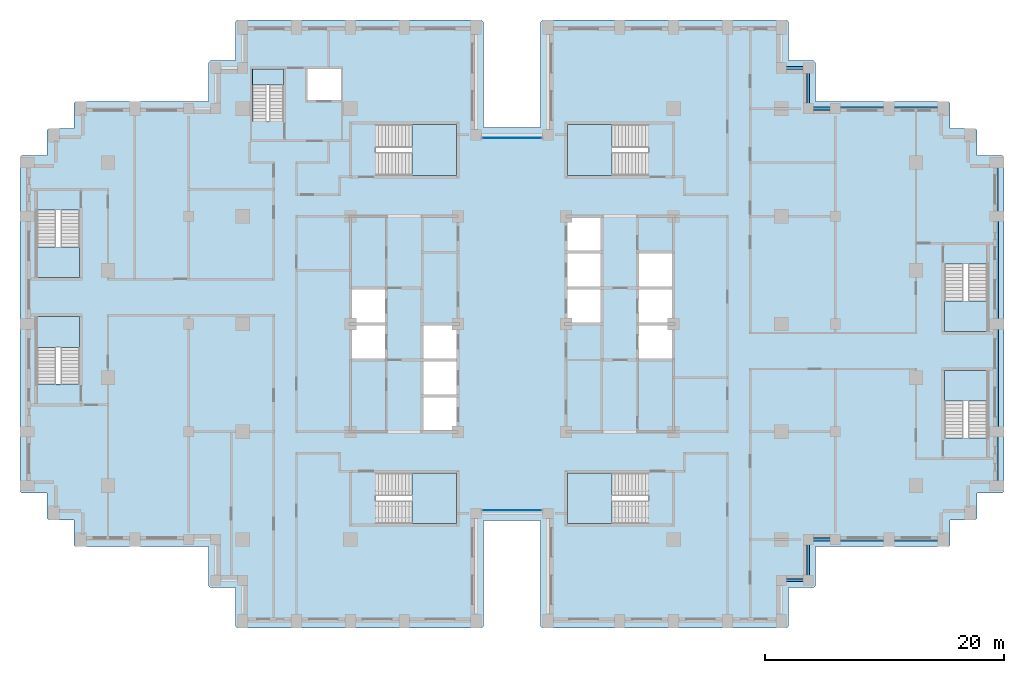
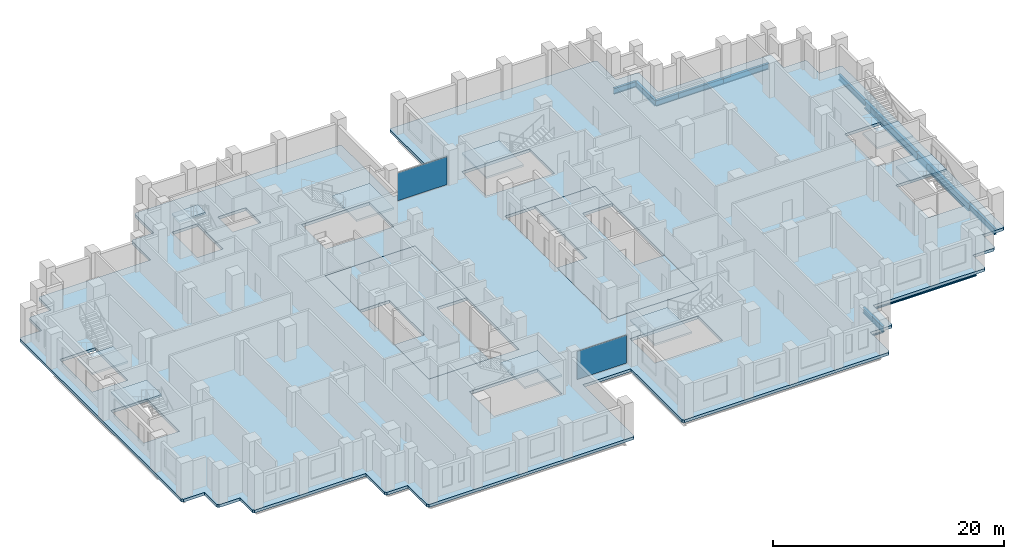
# One storey, part 5 of 15: 14 beams, 12 slabs, 2 plates, 11 elements without a shape of their own.
"""IFC4 building model written with IfcOpenShell, lengths in metres."""

from ifc_helpers import new_model, si_unit, direction, frame, origin, origin_2d, place, context, subcontext, project, spatial, polyline, rectangle, i_section, outline, extrude, material, layer, layer_set, material_profile, profile_set, type_object, element, aggregate, save


model = new_model("IFC4")

# Units and contexts
model_context = context("Model", 3, precision=1e-05, world=origin(), true_north=direction((0.0, 1.0)))
body_context = subcontext(model_context, "Body", "Model", "MODEL_VIEW")
ifc_project = project(units=[si_unit("LENGTHUNIT", "METRE"), si_unit("AREAUNIT", "SQUARE_METRE"), si_unit("VOLUMEUNIT", "CUBIC_METRE"), si_unit("PLANEANGLEUNIT", "RADIAN"), si_unit("MASSUNIT", "GRAM", prefix="KILO")], contexts=[model_context])

# Site, building, storey
site_placement = place(None, origin())
site = spatial("IfcSite", under=ifc_project, at=site_placement, CompositionType="ELEMENT")
building_placement = place(site_placement, origin())
building = spatial("IfcBuilding", under=site, at=building_placement, Name="Corbelhall Arena Tower", CompositionType="ELEMENT")
storey_placement = place(building_placement, frame((0.0, 0.0, 96.0)))
storey = spatial("IfcBuildingStorey", under=building, at=storey_placement, Name="L16", CompositionType="ELEMENT", Elevation=96.0)

# Beams
ifc_material_1 = material(Name="Steel ASTM A992 Gr50", Category="steel")
ifc_material_profile_1 = material_profile(ifc_material_1, i_section(OverallWidth=0.23046875, OverallDepth=0.6171875, WebThickness=0.01318359375, FlangeThickness=0.022216796875, at=origin_2d()))
ifc_profile_set_1 = profile_set([ifc_material_profile_1], Name="Steel ASTM A992 Gr50")
beam_type_1 = type_object("IfcBeamType", Name="ST-SPANDREL-W24x94", PredefinedType="SPANDREL", material=ifc_profile_set_1)
for number, where, z_axis, x_axis, name in (
    (1, (40.5, 13.5, -0.608642578125), (0.0, -1.0, 0.0), (1.0, 0.0, 0.0), "Beam SP 10"),
    (2, (40.5, -9.0, -0.608642578125), (0.0, -1.0, 0.0), (1.0, 0.0, 0.0), "Beam SP 11"),
    (3, (31.5, 18.0, -0.608642578125), (1.0, 0.0, 0.0), (0.0, 1.0, 0.0), "Beam SP 12"),
    (4, (31.5, -18.0, -0.608642578125), (-1.0, 0.0, 0.0), (0.0, -1.0, 0.0), "Beam SP 13"),
    (5, (36.0, -18.0, -0.608642578125), (-1.0, 0.0, 0.0), (0.0, -1.0, 0.0), "Beam SP 14"),
    (6, (27.0, 18.0, -0.608642578125), (1.0, 0.0, 0.0), (0.0, 1.0, 0.0), "Beam SP 15"),
):
    element("IfcBeam", number, at=place(storey_placement, frame(where, z_axis=z_axis, x_axis=x_axis)), inside=storey, type_object=beam_type_1, Name=name, PredefinedType="SPANDREL", context=body_context, shape_type="SweptSolid", body=[
        extrude(i_section(OverallWidth=0.23046875, OverallDepth=0.6171875, WebThickness=0.01318359375, FlangeThickness=0.022216796875, at=origin_2d()), origin(), (0.0, 0.0, 1.0), 4.5),
    ])
for number, where, z_axis, x_axis, name in (
    (7, (27.0, -18.0, -0.608642578125), (-1.0, 0.0, 0.0), (0.0, -1.0, 0.0), "Beam SP 16"),
    (8, (22.5, 21.39990234375, -0.608642578125), (1.0, 0.0, 0.0), (0.0, 1.0, 0.0), "Beam SP 43"),
):
    element("IfcBeam", number, at=place(storey_placement, frame(where, z_axis=z_axis, x_axis=x_axis)), inside=storey, type_object=beam_type_1, Name=name, PredefinedType="SPANDREL", context=body_context, shape_type="SweptSolid", body=[
        extrude(i_section(OverallWidth=0.23046875, OverallDepth=0.6171875, WebThickness=0.01318359375, FlangeThickness=0.022216796875, at=origin_2d()), origin(), (0.0, 0.0, 1.0), 2.25),
    ])
beam_1_placement = place(storey_placement, frame((24.75, 21.39990234375, -0.608642578125), z_axis=(0.0, -1.0, 0.0), x_axis=(1.0, 0.0, 0.0)))
element("IfcBeam", 9, at=beam_1_placement, inside=storey, type_object=beam_type_1, Name="Beam SP 44", PredefinedType="SPANDREL", context=body_context, shape_type="SweptSolid", body=[
    extrude(i_section(OverallWidth=0.23046875, OverallDepth=0.6171875, WebThickness=0.01318359375, FlangeThickness=0.022216796875, at=origin_2d()), origin(), (0.0, 0.0, 1.0), 3.39990234375),
])
for number, where, z_axis, x_axis, name in (
    (10, (24.75, 18.0, -0.608642578125), (1.0, 0.0, 0.0), (0.0, 1.0, 0.0), "Beam SP 45"),
    (11, (24.75, -21.39990234375, -0.608642578125), (-1.0, 0.0, 0.0), (0.0, -1.0, 0.0), "Beam SP 50"),
):
    element("IfcBeam", number, at=place(storey_placement, frame(where, z_axis=z_axis, x_axis=x_axis)), inside=storey, type_object=beam_type_1, Name=name, PredefinedType="SPANDREL", context=body_context, shape_type="SweptSolid", body=[
        extrude(i_section(OverallWidth=0.23046875, OverallDepth=0.6171875, WebThickness=0.01318359375, FlangeThickness=0.022216796875, at=origin_2d()), origin(), (0.0, 0.0, 1.0), 2.25),
    ])
beam_2_placement = place(storey_placement, frame((24.75, -18.0, -0.608642578125), z_axis=(0.0, -1.0, 0.0), x_axis=(1.0, 0.0, 0.0)))
element("IfcBeam", 12, at=beam_2_placement, inside=storey, type_object=beam_type_1, Name="Beam SP 51", PredefinedType="SPANDREL", context=body_context, shape_type="SweptSolid", body=[
    extrude(i_section(OverallWidth=0.23046875, OverallDepth=0.6171875, WebThickness=0.01318359375, FlangeThickness=0.022216796875, at=origin_2d()), origin(), (0.0, 0.0, 1.0), 3.39990234375),
])
ifc_material_profile_2 = material_profile(ifc_material_1, i_section(OverallWidth=0.2919921875, OverallDepth=0.845703125, WebThickness=0.015380859375, FlangeThickness=0.0244140625, at=origin_2d()))
ifc_profile_set_2 = profile_set([ifc_material_profile_2], Name="Steel ASTM A992 Gr50")
beam_type_2 = type_object("IfcBeamType", Name="ST-SPANDREL-W33x141", PredefinedType="SPANDREL", material=ifc_profile_set_2)
for number, where, z_axis, x_axis, name in (
    (13, (40.5, 0.0, -0.722900390625), (0.0, -1.0, 0.0), (1.0, 0.0, 0.0), "Beam SP 8"),
    (14, (40.5, 9.0, -0.722900390625), (0.0, -1.0, 0.0), (1.0, 0.0, 0.0), "Beam SP 9"),
):
    element("IfcBeam", number, at=place(storey_placement, frame(where, z_axis=z_axis, x_axis=x_axis)), inside=storey, type_object=beam_type_2, Name=name, PredefinedType="SPANDREL", context=body_context, shape_type="SweptSolid", body=[
        extrude(i_section(OverallWidth=0.2919921875, OverallDepth=0.845703125, WebThickness=0.015380859375, FlangeThickness=0.0244140625, at=origin_2d()), origin(), (0.0, 0.0, 1.0), 9.0),
    ])

# Curtain wall, plate
ifc_material_2 = material(Name="Aluminium black anodised", Category="aluminium")
ifc_layer_1 = layer(ifc_material_2, 0.199951171875)
ifc_layer_set_1 = layer_set([ifc_layer_1], Name="EV-CW1 Slot back wall")
curtain_wall_type = type_object("IfcCurtainWallType", Name="EV-CW1 Slot back wall", PredefinedType="NOTDEFINED", material=ifc_layer_set_1)
curtain_wall_1_placement = place(storey_placement, origin())
curtain_wall_1 = element("IfcCurtainWall", 15, at=curtain_wall_1_placement, inside=storey, type_object=curtain_wall_type, Name="Curtain wall CW1", PredefinedType="NOTDEFINED")
ifc_material_3 = material(Name="Glass dark tinted laminated", Category="glass")
ifc_layer_2 = layer(ifc_material_3, 0.028076171875)
ifc_layer_set_2 = layer_set([ifc_layer_2], Name="EV-CW1-PANEL")
plate_type = type_object("IfcPlateType", Name="EV-CW1-PANEL", PredefinedType="CURTAIN_PANEL", material=ifc_layer_set_2)
plate_1_placement = place(storey_placement, frame((0.0, -15.550048828125, 0.0751953125), z_axis=(0.0, 0.0, 1.0), x_axis=(1.0, 0.0, 0.0)))
plate_1 = element("IfcPlate", 16, at=plate_1_placement, type_object=plate_type, Name="CW1 panel 1.1", PredefinedType="CURTAIN_PANEL", context=body_context, shape_type="SweptSolid", body=[
    extrude(rectangle(XDim=4.949951171875, YDim=0.028076171875, at=origin_2d()), origin(), (0.0, 0.0, 1.0), 2.949951171875),
])
aggregate(curtain_wall_1, [plate_1])

curtain_wall_2_placement = place(storey_placement, origin())
curtain_wall_2 = element("IfcCurtainWall", 17, at=curtain_wall_2_placement, inside=storey, type_object=curtain_wall_type, Name="Curtain wall CW1", PredefinedType="NOTDEFINED")
plate_2_placement = place(storey_placement, frame((0.0, 15.550048828125, 0.0751953125), z_axis=(0.0, 0.0, 1.0), x_axis=(-1.0, 0.0, 0.0)))
plate_2 = element("IfcPlate", 18, at=plate_2_placement, type_object=plate_type, Name="CW1 panel 1.1", PredefinedType="CURTAIN_PANEL", context=body_context, shape_type="SweptSolid", body=[
    extrude(rectangle(XDim=4.949951171875, YDim=0.028076171875, at=origin_2d()), origin(), (0.0, 0.0, 1.0), 2.949951171875),
])
aggregate(curtain_wall_2, [plate_2])

# Slabs
ifc_material_4 = material(Name="Concrete C40/50", Category="concrete")
ifc_layer_3 = layer(ifc_material_4, 0.300048828125)
ifc_layer_set_3 = layer_set([ifc_layer_3], Name="IN-SL-CORE")
slab_type_1 = type_object("IfcSlabType", Name="IN-SL-CORE", PredefinedType="FLOOR", material=ifc_layer_set_3)
slab_1_placement = place(storey_placement, frame((0.0, 0.0, -0.300048828125)))
element("IfcSlab", 19, at=slab_1_placement, inside=storey, type_object=slab_type_1, Name="Core floor W", PredefinedType="FLOOR", context=body_context, shape_type="SweptSolid", body=[
    extrude(outline(polyline([(-7.5, 0.0), (-4.5, 0.0), (-4.5, 9.0), (-13.5, 9.0), (-13.5, 3.0), (-10.5, 3.0), (-10.5, 0.0), (-10.5, -3.0), (-13.5, -3.0), (-13.5, -9.0), (-7.5, -9.0), (-7.5, -6.0), (-7.5, -3.0), (-7.5, 0.0)])), origin(), (0.0, 0.0, 1.0), 0.300048828125),
])
slab_2_placement = place(storey_placement, frame((0.0, 0.0, -0.300048828125)))
element("IfcSlab", 20, at=slab_2_placement, inside=storey, type_object=slab_type_1, Name="Core floor E", PredefinedType="FLOOR", context=body_context, shape_type="SweptSolid", body=[
    extrude(outline(polyline([(7.5, 0.0), (4.5, 0.0), (4.5, -9.0), (13.5, -9.0), (13.5, -3.0), (10.5, -3.0), (10.5, 0.0), (10.5, 3.0), (10.5, 6.0), (13.5, 6.0), (13.5, 9.0), (7.5, 9.0), (7.5, 6.0), (7.5, 3.0), (7.5, 0.0)])), origin(), (0.0, 0.0, 1.0), 0.300048828125),
])

# Stair, slab
stair_type = type_object("IfcStairType", Name="IN-ST-TOWER", PredefinedType="HALF_TURN_STAIR", material=ifc_material_4)
stair_1_placement = place(storey_placement, origin())
stair_1 = element("IfcStair", 21, at=stair_1_placement, inside=storey, type_object=stair_type, Name="L16 Exit stair ST1", PredefinedType="HALF_TURN_STAIR")
ifc_layer_4 = layer(ifc_material_4, 0.199951171875)
ifc_layer_set_4 = layer_set([ifc_layer_4], Name="IN-SL-LANDING")
slab_type_2 = type_object("IfcSlabType", Name="IN-SL-LANDING", PredefinedType="LANDING", material=ifc_layer_set_4)
slab_3_placement = place(storey_placement, frame((0.0, 0.0, 1.800048828125)))
slab_3 = element("IfcSlab", 22, at=slab_3_placement, type_object=slab_type_2, Name="ST1 landing 1", PredefinedType="LANDING", context=body_context, shape_type="SweptSolid", body=[
    extrude(outline(polyline([(-8.344970703125, 12.425048828125), (-4.625, 12.425048828125), (-4.625, 16.675048828125), (-8.344970703125, 16.675048828125), (-8.344970703125, 12.425048828125)])), origin(), (0.0, 0.0, 1.0), 0.199951171875),
])
aggregate(stair_1, [slab_3])

stair_2_placement = place(storey_placement, origin())
stair_2 = element("IfcStair", 23, at=stair_2_placement, inside=storey, type_object=stair_type, Name="L16 Exit stair ST2", PredefinedType="HALF_TURN_STAIR")
slab_4_placement = place(storey_placement, frame((0.0, 0.0, 1.800048828125)))
slab_4 = element("IfcSlab", 24, at=slab_4_placement, type_object=slab_type_2, Name="ST2 landing 1", PredefinedType="LANDING", context=body_context, shape_type="SweptSolid", body=[
    extrude(outline(polyline([(-8.344970703125, -16.675048828125), (-4.625, -16.675048828125), (-4.625, -12.425048828125), (-8.344970703125, -12.425048828125), (-8.344970703125, -16.675048828125)])), origin(), (0.0, 0.0, 1.0), 0.199951171875),
])
aggregate(stair_2, [slab_4])

stair_3_placement = place(storey_placement, origin())
stair_3 = element("IfcStair", 25, at=stair_3_placement, inside=storey, type_object=stair_type, Name="L16 Exit stair ST3", PredefinedType="HALF_TURN_STAIR")
slab_5_placement = place(storey_placement, frame((0.0, 0.0, 1.800048828125)))
slab_5 = element("IfcSlab", 26, at=slab_5_placement, type_object=slab_type_2, Name="ST3 landing 1", PredefinedType="LANDING", context=body_context, shape_type="SweptSolid", body=[
    extrude(outline(polyline([(8.344970703125, 16.675048828125), (4.625, 16.675048828125), (4.625, 12.425048828125), (8.344970703125, 12.425048828125), (8.344970703125, 16.675048828125)])), origin(), (0.0, 0.0, 1.0), 0.199951171875),
])
aggregate(stair_3, [slab_5])

stair_4_placement = place(storey_placement, origin())
stair_4 = element("IfcStair", 27, at=stair_4_placement, inside=storey, type_object=stair_type, Name="L16 Exit stair ST4", PredefinedType="HALF_TURN_STAIR")
slab_6_placement = place(storey_placement, frame((0.0, 0.0, 1.800048828125)))
slab_6 = element("IfcSlab", 28, at=slab_6_placement, type_object=slab_type_2, Name="ST4 landing 1", PredefinedType="LANDING", context=body_context, shape_type="SweptSolid", body=[
    extrude(outline(polyline([(8.344970703125, -12.425048828125), (4.625, -12.425048828125), (4.625, -16.675048828125), (8.344970703125, -16.675048828125), (8.344970703125, -12.425048828125)])), origin(), (0.0, 0.0, 1.0), 0.199951171875),
])
aggregate(stair_4, [slab_6])

stair_5_placement = place(storey_placement, origin())
stair_5 = element("IfcStair", 29, at=stair_5_placement, inside=storey, type_object=stair_type, Name="L16 Exit stair SC1", PredefinedType="HALF_TURN_STAIR")
slab_7_placement = place(storey_placement, frame((0.0, 0.0, 1.800048828125)))
slab_7 = element("IfcSlab", 30, at=slab_7_placement, type_object=slab_type_2, Name="SC1 landing 1", PredefinedType="LANDING", context=body_context, shape_type="SweptSolid", body=[
    extrude(outline(polyline([(-39.699951171875, 6.445068359375), (-39.699951171875, 3.875), (-36.125, 3.875), (-36.125, 6.445068359375), (-39.699951171875, 6.445068359375)])), origin(), (0.0, 0.0, 1.0), 0.199951171875),
])
aggregate(stair_5, [slab_7])

stair_6_placement = place(storey_placement, origin())
stair_6 = element("IfcStair", 31, at=stair_6_placement, inside=storey, type_object=stair_type, Name="L16 Exit stair SC2", PredefinedType="HALF_TURN_STAIR")
slab_8_placement = place(storey_placement, frame((0.0, 0.0, 1.800048828125)))
slab_8 = element("IfcSlab", 32, at=slab_8_placement, type_object=slab_type_2, Name="SC2 landing 1", PredefinedType="LANDING", context=body_context, shape_type="SweptSolid", body=[
    extrude(outline(polyline([(-36.125, -1.945068359375), (-36.125, 0.625), (-39.699951171875, 0.625), (-39.699951171875, -1.945068359375), (-36.125, -1.945068359375)])), origin(), (0.0, 0.0, 1.0), 0.199951171875),
])
aggregate(stair_6, [slab_8])

stair_7_placement = place(storey_placement, origin())
stair_7 = element("IfcStair", 33, at=stair_7_placement, inside=storey, type_object=stair_type, Name="L16 Exit stair SD1", PredefinedType="HALF_TURN_STAIR")
slab_9_placement = place(storey_placement, frame((0.0, 0.0, 1.800048828125)))
slab_9 = element("IfcSlab", 34, at=slab_9_placement, type_object=slab_type_2, Name="SD1 landing 1", PredefinedType="LANDING", context=body_context, shape_type="SweptSolid", body=[
    extrude(outline(polyline([(39.699951171875, -6.445068359375), (39.699951171875, -3.875), (36.125, -3.875), (36.125, -6.445068359375), (39.699951171875, -6.445068359375)])), origin(), (0.0, 0.0, 1.0), 0.199951171875),
])
aggregate(stair_7, [slab_9])

stair_8_placement = place(storey_placement, origin())
stair_8 = element("IfcStair", 35, at=stair_8_placement, inside=storey, type_object=stair_type, Name="L16 Exit stair SD2", PredefinedType="HALF_TURN_STAIR")
slab_10_placement = place(storey_placement, frame((0.0, 0.0, 1.800048828125)))
slab_10 = element("IfcSlab", 36, at=slab_10_placement, type_object=slab_type_2, Name="SD2 landing 1", PredefinedType="LANDING", context=body_context, shape_type="SweptSolid", body=[
    extrude(outline(polyline([(36.125, 1.945068359375), (36.125, -0.625), (39.699951171875, -0.625), (39.699951171875, 1.945068359375), (36.125, 1.945068359375)])), origin(), (0.0, 0.0, 1.0), 0.199951171875),
])
aggregate(stair_8, [slab_10])

stair_9_placement = place(storey_placement, origin())
stair_9 = element("IfcStair", 37, at=stair_9_placement, inside=storey, type_object=stair_type, Name="L16 Exit stair ST5", PredefinedType="HALF_TURN_STAIR")
slab_11_placement = place(storey_placement, frame((0.0, 0.0, 1.800048828125)))
slab_11 = element("IfcSlab", 38, at=slab_11_placement, type_object=slab_type_2, Name="ST5 landing 1", PredefinedType="LANDING", context=body_context, shape_type="SweptSolid", body=[
    extrude(outline(polyline([(-19.094970703125, 19.97998046875), (-19.094970703125, 21.300048828125), (-21.695068359375, 21.300048828125), (-21.695068359375, 19.97998046875), (-19.094970703125, 19.97998046875)])), origin(), (0.0, 0.0, 1.0), 0.199951171875),
])
aggregate(stair_9, [slab_11])

# Slab
ifc_layer_5 = layer(ifc_material_4, 0.300048828125)
ifc_layer_set_5 = layer_set([ifc_layer_5], Name="ST-SLAB-FLOOR-300")
slab_type_3 = type_object("IfcSlabType", Name="ST-SLAB-FLOOR-300", PredefinedType="FLOOR", material=ifc_layer_set_5)
slab_12_placement = place(storey_placement, frame((0.0, 0.0, -0.300048828125)))
element("IfcSlab", 39, at=slab_12_placement, inside=storey, type_object=slab_type_3, Name="Floor slab L16 1", PredefinedType="FLOOR", context=body_context, shape_type="SweptSolid", body=[
    extrude(outline(polyline([(25.35009765625, 18.60009765625), (25.35009765625, 21.85009765625), (25.199951171875, 22.0), (23.10009765625, 22.0), (23.10009765625, 25.25), (22.949951171875, 25.39990234375), (2.550048828125, 25.39990234375), (2.39990234375, 25.25), (2.39990234375, 16.39990234375), (-2.39990234375, 16.39990234375), (-2.39990234375, 25.25), (-2.550048828125, 25.39990234375), (-22.949951171875, 25.39990234375), (-23.10009765625, 25.25), (-23.10009765625, 22.0), (-25.199951171875, 22.0), (-25.35009765625, 21.85009765625), (-25.35009765625, 18.60009765625), (-36.449951171875, 18.60009765625), (-36.60009765625, 18.449951171875), (-36.60009765625, 16.35009765625), (-38.699951171875, 16.35009765625), (-38.85009765625, 16.199951171875), (-38.85009765625, 14.10009765625), (-40.949951171875, 14.10009765625), (-41.10009765625, 13.949951171875), (-41.10009765625, -13.949951171875), (-40.949951171875, -14.10009765625), (-38.85009765625, -14.10009765625), (-38.85009765625, -16.199951171875), (-38.699951171875, -16.35009765625), (-36.60009765625, -16.35009765625), (-36.60009765625, -18.449951171875), (-36.449951171875, -18.60009765625), (-25.35009765625, -18.60009765625), (-25.35009765625, -21.85009765625), (-25.199951171875, -22.0), (-23.10009765625, -22.0), (-23.10009765625, -25.25), (-22.949951171875, -25.39990234375), (-2.550048828125, -25.39990234375), (-2.39990234375, -25.25), (-2.39990234375, -16.39990234375), (2.39990234375, -16.39990234375), (2.39990234375, -25.25), (2.550048828125, -25.39990234375), (22.949951171875, -25.39990234375), (23.10009765625, -25.25), (23.10009765625, -22.0), (25.199951171875, -22.0), (25.35009765625, -21.85009765625), (25.35009765625, -18.60009765625), (36.449951171875, -18.60009765625), (36.60009765625, -18.449951171875), (36.60009765625, -16.35009765625), (38.699951171875, -16.35009765625), (38.85009765625, -16.199951171875), (38.85009765625, -14.10009765625), (40.949951171875, -14.10009765625), (41.10009765625, -13.949951171875), (41.10009765625, 13.949951171875), (40.949951171875, 14.10009765625), (38.85009765625, 14.10009765625), (38.85009765625, 16.199951171875), (38.699951171875, 16.35009765625), (36.60009765625, 16.35009765625), (36.60009765625, 18.449951171875), (36.449951171875, 18.60009765625), (25.35009765625, 18.60009765625)]), holes=[polyline([(-13.5, 9.0), (-13.5, -9.0), (-4.5, -9.0), (-4.5, 9.0), (-13.5, 9.0)]), polyline([(4.5, 9.0), (4.5, -9.0), (13.5, -9.0), (13.5, 9.0), (4.5, 9.0)]), polyline([(-4.625, 16.675048828125), (-11.422119140625, 16.675048828125), (-11.422119140625, 12.425048828125), (-4.625, 12.425048828125), (-4.625, 16.675048828125)]), polyline([(-4.625, -16.675048828125), (-4.625, -12.425048828125), (-11.422119140625, -12.425048828125), (-11.422119140625, -16.675048828125), (-4.625, -16.675048828125)]), polyline([(11.422119140625, 16.675048828125), (4.625, 16.675048828125), (4.625, 12.425048828125), (11.422119140625, 12.425048828125), (11.422119140625, 16.675048828125)]), polyline([(11.422119140625, -16.675048828125), (11.422119140625, -12.425048828125), (4.625, -12.425048828125), (4.625, -16.675048828125), (11.422119140625, -16.675048828125)]), polyline([(-36.125, 3.875), (-36.125, 9.52197265625), (-39.699951171875, 9.52197265625), (-39.699951171875, 3.875), (-36.125, 3.875)]), polyline([(-36.125, 0.625), (-39.699951171875, 0.625), (-39.699951171875, -5.02197265625), (-36.125, -5.02197265625), (-36.125, 0.625)]), polyline([(39.699951171875, -9.52197265625), (39.699951171875, -3.875), (36.125, -3.875), (36.125, -9.52197265625), (39.699951171875, -9.52197265625)]), polyline([(39.699951171875, 5.02197265625), (36.125, 5.02197265625), (36.125, -0.625), (39.699951171875, -0.625), (39.699951171875, 5.02197265625)]), polyline([(-21.695068359375, 21.300048828125), (-21.695068359375, 16.903076171875), (-19.094970703125, 16.903076171875), (-19.094970703125, 21.300048828125), (-21.695068359375, 21.300048828125)]), polyline([(-14.300048828125, 21.300048828125), (-17.10009765625, 21.300048828125), (-17.10009765625, 18.699951171875), (-14.300048828125, 18.699951171875), (-14.300048828125, 21.300048828125)])]), origin(), (0.0, 0.0, 1.0), 0.300048828125),
])

save(model, "model.ifc")
